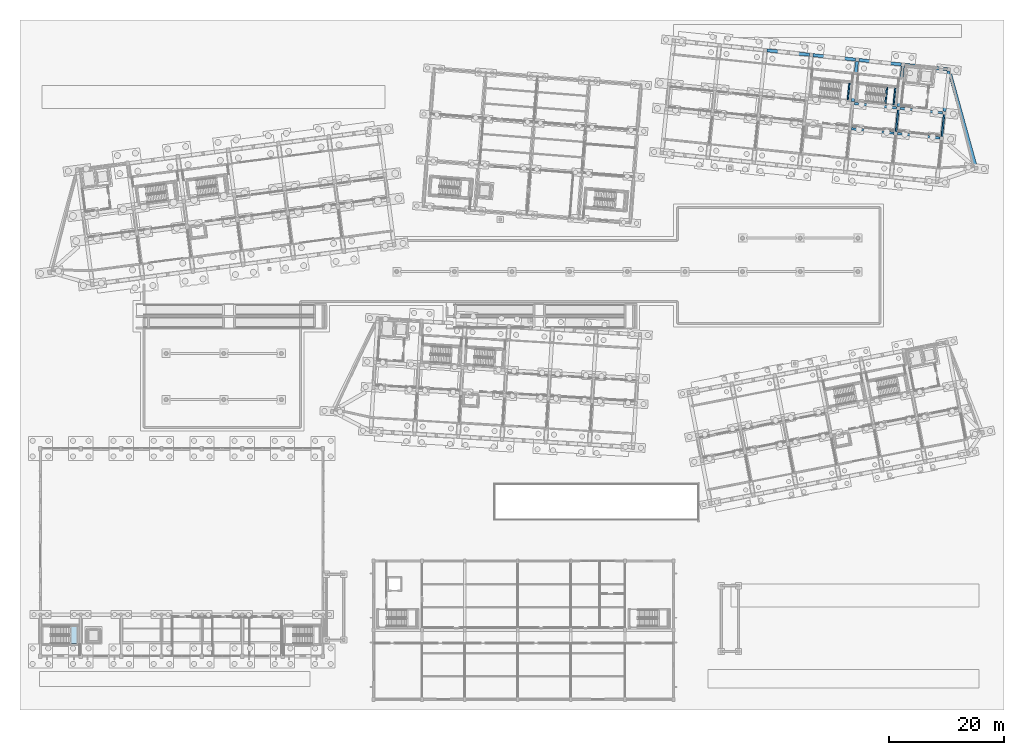
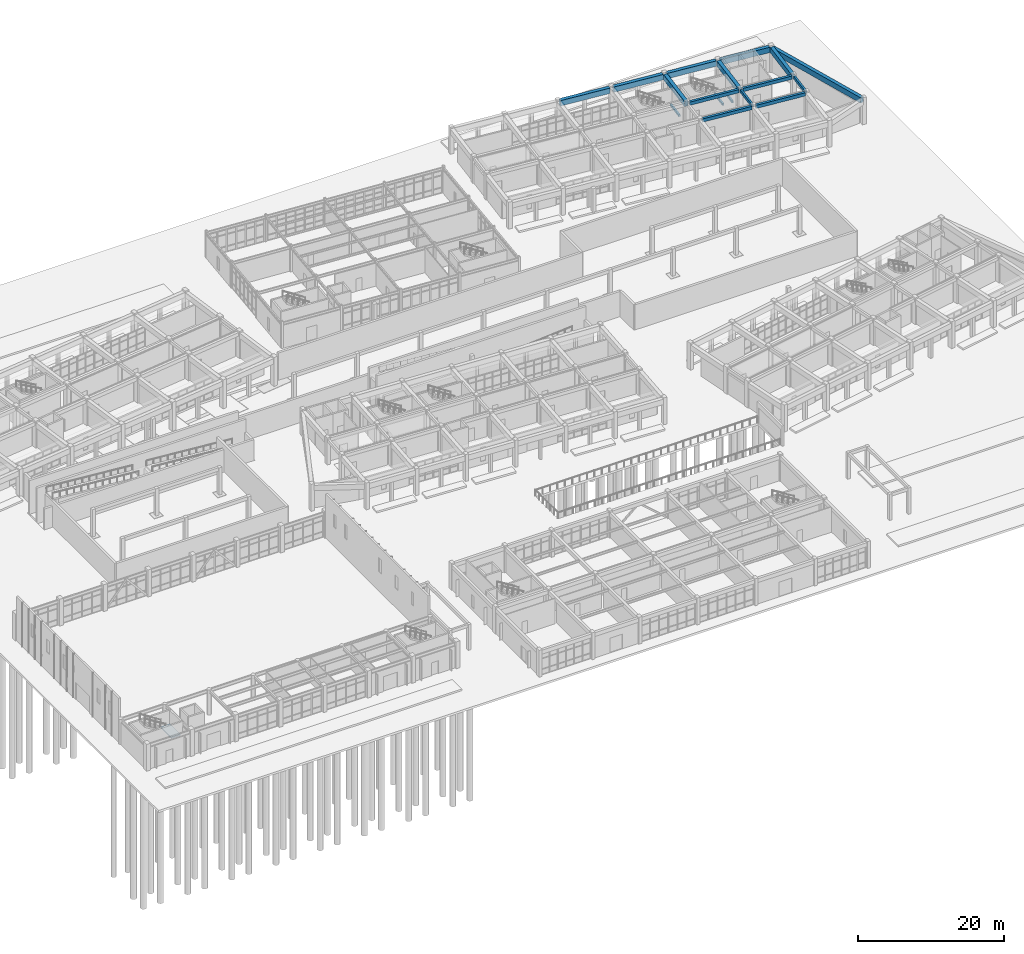
# One storey, part 99 of 154: 17 beams, 1 slab, 1 element without a shape of its own.
"""IFC4 building model written with IfcOpenShell, lengths in metres."""

from ifc_helpers import new_model, si_unit, direction, frame, origin, origin_2d, place, context, subcontext, project, spatial, polyline, rectangle, outline, extrude, material, layer, layer_set, material_profile, profile_set, type_object, element, aggregate, save


model = new_model("IFC4")

# Units and contexts
model_context = context("Model", 3, precision=1e-05, world=origin(), true_north=direction((0.0, 1.0)))
body_context = subcontext(model_context, "Body", "Model", "MODEL_VIEW")
ifc_project = project(units=[si_unit("LENGTHUNIT", "METRE"), si_unit("AREAUNIT", "SQUARE_METRE"), si_unit("VOLUMEUNIT", "CUBIC_METRE"), si_unit("PLANEANGLEUNIT", "RADIAN"), si_unit("MASSUNIT", "GRAM", prefix="KILO")], contexts=[model_context])

# Site, building, storey
site_placement = place(None, origin())
site = spatial("IfcSite", under=ifc_project, at=site_placement, CompositionType="ELEMENT")
building_placement = place(site_placement, origin())
building = spatial("IfcBuilding", under=site, at=building_placement, Name="Kestramere Prow Commons", CompositionType="ELEMENT")
storey_placement = place(building_placement, origin())
storey = spatial("IfcBuildingStorey", under=building, at=storey_placement, Name="L00", CompositionType="ELEMENT", Elevation=0.0)

# Beams
ifc_material_1 = material(Name="Precast concrete C40/50", Category="concrete")
ifc_material_profile_1 = material_profile(ifc_material_1, rectangle(XDim=0.39990234375, YDim=0.550048828125, at=origin_2d()), Name="PC-BM 400x550")
ifc_profile_set_1 = profile_set([ifc_material_profile_1], Name="Precast concrete C40/50")
beam_type_1 = type_object("IfcBeamType", Name="BM-B1 PC-BM 400x550", PredefinedType="BEAM", material=ifc_profile_set_1)
beam_1_placement = place(storey_placement, frame((142.91748046875, 98.982177734375, 3.97509765625), z_axis=(0.994519364161, -0.104552543293, 0.0), x_axis=(0.104552543293, 0.994519364161, 0.0)))
element("IfcBeam", 1, at=beam_1_placement, inside=storey, type_object=beam_type_1, Name="Block B L00 Longitudinal Beam 2-5", PredefinedType="BEAM", context=body_context, shape_type="SweptSolid", body=[
    extrude(rectangle(XDim=0.39990234375, YDim=0.550048828125, at=origin_2d()), origin(), (0.0, 0.0, 1.0), 7.39990234375),
])
beam_2_placement = place(storey_placement, frame((150.87353515625, 98.145751953125, 3.97509765625), z_axis=(0.994523154564, -0.104516482125, 0.0), x_axis=(0.104516482125, 0.994523154564, 0.0)))
element("IfcBeam", 2, at=beam_2_placement, inside=storey, type_object=beam_type_1, Name="Block B L00 Longitudinal Beam 2-6", PredefinedType="BEAM", context=body_context, shape_type="SweptSolid", body=[
    extrude(rectangle(XDim=0.39990234375, YDim=0.550048828125, at=origin_2d()), origin(), (0.0, 0.0, 1.0), 7.400146484375),
])
beam_3_placement = place(storey_placement, frame((143.37744140625, 103.35791015625, 3.97509765625), z_axis=(0.994522794159, -0.104519911488, 0.0), x_axis=(0.104519911488, 0.994522794159, 0.0)))
element("IfcBeam", 3, at=beam_3_placement, inside=storey, type_object=beam_type_1, Name="Block B L00 Longitudinal Beam 3-5", PredefinedType="BEAM", context=body_context, shape_type="SweptSolid", body=[
    extrude(rectangle(XDim=0.39990234375, YDim=0.550048828125, at=origin_2d()), origin(), (0.0, 0.0, 1.0), 7.39990234375),
])
beam_4_placement = place(storey_placement, frame((151.33349609375, 102.521728515625, 3.97509765625), z_axis=(0.994523154564, -0.104516482125, 0.0), x_axis=(0.104516482125, 0.994523154564, 0.0)))
element("IfcBeam", 4, at=beam_4_placement, inside=storey, type_object=beam_type_1, Name="Block B L00 Longitudinal Beam 3-6", PredefinedType="BEAM", context=body_context, shape_type="SweptSolid", body=[
    extrude(rectangle(XDim=0.39990234375, YDim=0.550048828125, at=origin_2d()), origin(), (0.0, 0.0, 1.0), 7.400146484375),
])
ifc_material_2 = material(Name="Concrete C40/50", Category="concrete")
ifc_material_profile_2 = material_profile(ifc_material_2, rectangle(XDim=0.25, YDim=0.35009765625, at=origin_2d()), Name="PC-BM 250x350")
ifc_profile_set_2 = profile_set([ifc_material_profile_2], Name="Concrete C40/50")
beam_type_2 = type_object("IfcBeamType", Name="BM-ST-TRIM", PredefinedType="BEAM", material=ifc_profile_set_2)
for number, where, z_axis, x_axis, name in (
    (5, (142.2392578125, 104.010498046875, 1.875), (0.104579248847, 0.994516556278, 0.0), (-0.994516556278, 0.104579248847, 0.0), "ST-B1 L00 Landing Trimmer Beam 1B"),
    (6, (148.763427734375, 103.32470703125, 1.875), (0.104495697268, 0.994525338668, 0.0), (-0.994525338668, 0.104495697268, 0.0), "ST-B2 L00 Landing Trimmer Beam 1A"),
    (7, (150.195556640625, 103.17431640625, 1.875), (0.104495697268, 0.994525338668, 0.0), (-0.994525338668, 0.104495697268, 0.0), "ST-B2 L00 Landing Trimmer Beam 1B"),
):
    element("IfcBeam", number, at=place(storey_placement, frame(where, z_axis=z_axis, x_axis=x_axis)), inside=storey, type_object=beam_type_2, Name=name, PredefinedType="BEAM", context=body_context, shape_type="SweptSolid", body=[
        extrude(rectangle(XDim=0.25, YDim=0.35009765625, at=origin_2d()), origin(), (0.0, 0.0, 1.0), 2.89013671875),
    ])
ifc_material_profile_3 = material_profile(ifc_material_1, rectangle(XDim=0.300048828125, YDim=0.5, at=origin_2d()), Name="PC-BM 300x500")
ifc_profile_set_3 = profile_set([ifc_material_profile_3], Name="Precast concrete C40/50")
beam_type_3 = type_object("IfcBeamType", Name="BM-TIE-01 PC-BM 300x500", PredefinedType="BEAM", material=ifc_profile_set_3)
beam_5_placement = place(storey_placement, frame((150.606689453125, 98.4755859375, 4.0), z_axis=(0.104527601494, 0.994521985944, 0.0), x_axis=(-0.994521985944, 0.104527601494, 0.0)))
element("IfcBeam", 8, at=beam_5_placement, inside=storey, type_object=beam_type_3, Name="Block B L00 Transverse Beam 6-2", PredefinedType="BEAM", context=body_context, shape_type="SweptSolid", body=[
    extrude(rectangle(XDim=0.300048828125, YDim=0.5, at=origin_2d()), origin(), (0.0, 0.0, 1.0), 3.800048828125),
])
beam_6_placement = place(storey_placement, frame((158.562744140625, 97.639404296875, 4.0), z_axis=(0.10453428057, 0.994521283928, 0.0), x_axis=(-0.994521283928, 0.10453428057, 0.0)))
element("IfcBeam", 9, at=beam_6_placement, inside=storey, type_object=beam_type_3, Name="Block B L00 Transverse Beam 7-2", PredefinedType="BEAM", context=body_context, shape_type="SweptSolid", body=[
    extrude(rectangle(XDim=0.300048828125, YDim=0.5, at=origin_2d()), origin(), (0.0, 0.0, 1.0), 3.7998046875),
])
ifc_material_profile_4 = material_profile(ifc_material_1, rectangle(XDim=0.550048828125, YDim=0.89990234375, at=origin_2d()), Name="PC-TG 550x900")
ifc_profile_set_4 = profile_set([ifc_material_profile_4], Name="Precast concrete C40/50")
beam_type_4 = type_object("IfcBeamType", Name="TG-01 PC-TG 550x900 (EX)", PredefinedType="BEAM", material=ifc_profile_set_4)
beam_7_placement = place(storey_placement, frame((159.8603515625, 109.00537109375, 3.800048828125), z_axis=(0.266276973363, -0.963896557446, 0.0), x_axis=(0.963896557446, 0.266276973363, 0.0)))
element("IfcBeam", 10, at=beam_7_placement, inside=storey, type_object=beam_type_4, Name="Block B L00 Prow Facet Beam N", PredefinedType="BEAM", context=body_context, shape_type="SweptSolid", body=[
    extrude(rectangle(XDim=0.550048828125, YDim=0.89990234375, at=origin_2d()), origin(), (0.0, 0.0, 1.0), 17.220703125),
])
beam_8_placement = place(storey_placement, frame((128.259521484375, 112.5888671875, 3.800048828125), z_axis=(0.994519364161, -0.104552543293, 0.0), x_axis=(0.104552543293, 0.994519364161, 0.0)))
element("IfcBeam", 11, at=beam_8_placement, inside=storey, type_object=beam_type_4, Name="Block B L00 Longitudinal Beam 4-3", PredefinedType="BEAM", context=body_context, shape_type="SweptSolid", body=[
    extrude(rectangle(XDim=0.550048828125, YDim=0.89990234375, at=origin_2d()), origin(), (0.0, 0.0, 1.0), 7.39990234375),
])
beam_9_placement = place(storey_placement, frame((136.215576171875, 111.752685546875, 3.800048828125), z_axis=(0.994519724789, -0.104549112883, 0.0), x_axis=(0.104549112883, 0.994519724789, 0.0)))
element("IfcBeam", 12, at=beam_9_placement, inside=storey, type_object=beam_type_4, Name="Block B L00 Longitudinal Beam 4-4", PredefinedType="BEAM", context=body_context, shape_type="SweptSolid", body=[
    extrude(rectangle(XDim=0.550048828125, YDim=0.89990234375, at=origin_2d()), origin(), (0.0, 0.0, 1.0), 7.400146484375),
])
beam_10_placement = place(storey_placement, frame((144.171875, 110.916259765625, 3.800048828125), z_axis=(0.994522794159, -0.104519911488, 0.0), x_axis=(0.104519911488, 0.994522794159, 0.0)))
element("IfcBeam", 13, at=beam_10_placement, inside=storey, type_object=beam_type_4, Name="Block B L00 Longitudinal Beam 4-5", PredefinedType="BEAM", context=body_context, shape_type="SweptSolid", body=[
    extrude(rectangle(XDim=0.550048828125, YDim=0.89990234375, at=origin_2d()), origin(), (0.0, 0.0, 1.0), 7.39990234375),
])
beam_11_placement = place(storey_placement, frame((152.1279296875, 110.080078125, 3.800048828125), z_axis=(0.994523154564, -0.104516482125, 0.0), x_axis=(0.104516482125, 0.994523154564, 0.0)))
element("IfcBeam", 14, at=beam_11_placement, inside=storey, type_object=beam_type_4, Name="Block B L00 Longitudinal Beam 4-6", PredefinedType="BEAM", context=body_context, shape_type="SweptSolid", body=[
    extrude(rectangle(XDim=0.550048828125, YDim=0.89990234375, at=origin_2d()), origin(), (0.0, 0.0, 1.0), 7.400146484375),
])
for number, where, z_axis, x_axis, name in (
    (15, (143.1103515625, 103.687744140625, 3.800048828125), (0.104526832686, 0.994522066748, 0.0), (-0.994522066748, 0.104526832686, 0.0), "Block B L00 N Colonnade Transfer Girder 5"),
    (16, (151.066650390625, 102.8515625, 3.800048828125), (0.104526832686, 0.994522066748, 0.0), (-0.994522066748, 0.104526832686, 0.0), "Block B L00 N Colonnade Transfer Girder 6"),
    (17, (159.022705078125, 102.01513671875, 3.800048828125), (0.104526832686, 0.994522066748, 0.0), (-0.994522066748, 0.104526832686, 0.0), "Block B L00 N Colonnade Transfer Girder 7"),
):
    element("IfcBeam", number, at=place(storey_placement, frame(where, z_axis=z_axis, x_axis=x_axis)), inside=storey, type_object=beam_type_4, Name=name, PredefinedType="BEAM", context=body_context, shape_type="SweptSolid", body=[
        extrude(rectangle(XDim=0.550048828125, YDim=0.89990234375, at=origin_2d()), origin(), (0.0, 0.0, 1.0), 7.0),
    ])

# Stair, slab
stair_type = type_object("IfcStairType", Name="ST-DOG-1400", PredefinedType="HALF_TURN_STAIR", material=ifc_material_2)
stair_placement = place(storey_placement, origin())
stair = element("IfcStair", 18, at=stair_placement, inside=storey, type_object=stair_type, Name="L00 Community Hall Exit Stair 1", PredefinedType="HALF_TURN_STAIR")
ifc_layer = layer(ifc_material_2, 0.199951171875)
ifc_layer_set = layer_set([ifc_layer], Name="Concrete C40/50")
slab_type = type_object("IfcSlabType", Name="SL-ST-LAND-200", PredefinedType="LANDING", material=ifc_layer_set)
slab_placement = place(storey_placement, frame((0.0, 0.0, 2.050048828125)))
slab = element("IfcSlab", 19, at=slab_placement, type_object=slab_type, Name="ST-H1 landing 1", PredefinedType="LANDING", context=body_context, shape_type="SweptSolid", body=[
    extrude(outline(polyline([(7.300048828125, 9.64990234375), (8.75, 9.64990234375), (8.75, 12.60009765625), (7.300048828125, 12.60009765625), (7.300048828125, 9.64990234375)])), origin(), (0.0, 0.0, 1.0), 0.199951171875),
])
aggregate(stair, [slab])

save(model, "model.ifc")
